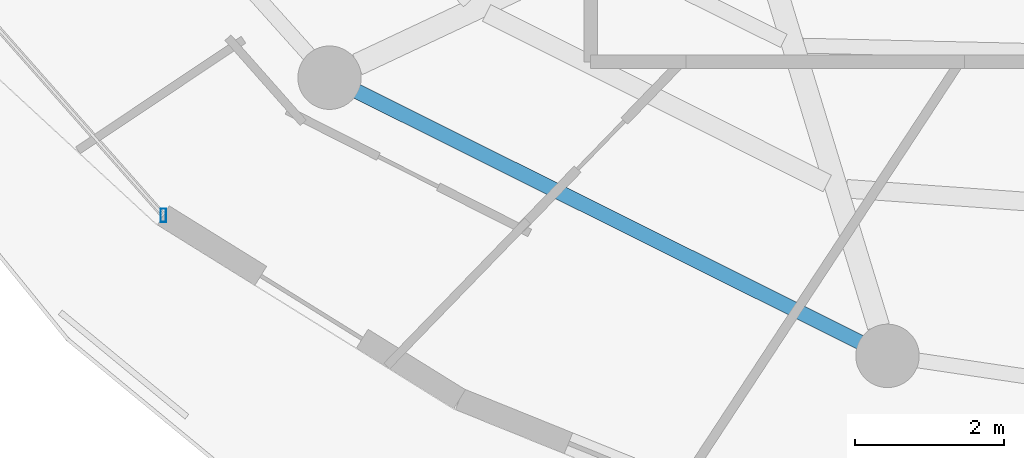
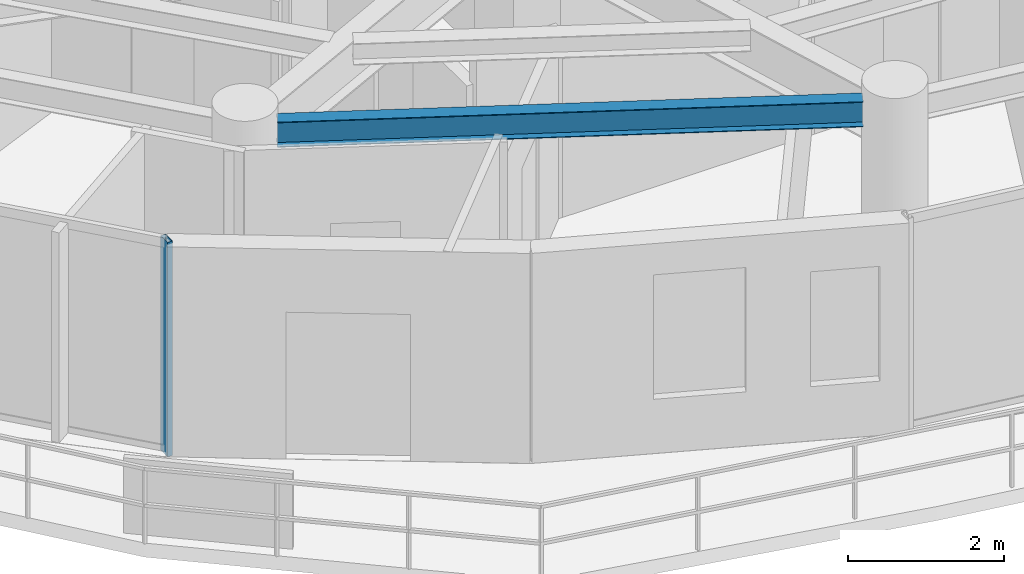
# One storey, part 2 of 32: 1 beam, 1 member, 1 element without a shape of its own.
"""IFC4 building model written with IfcOpenShell, lengths in metres."""

from ifc_helpers import new_model, si_unit, direction, frame, origin, origin_2d, place, context, subcontext, project, spatial, hollow_rectangle, i_section, extrude, material, material_profile, profile_set, type_object, element, aggregate, save


model = new_model("IFC4")

# Units and contexts
model_context = context("Model", 3, precision=1e-05, world=origin(), true_north=direction((0.0, 1.0)))
body_context = subcontext(model_context, "Body", "Model", "MODEL_VIEW")
ifc_project = project(units=[si_unit("LENGTHUNIT", "METRE"), si_unit("AREAUNIT", "SQUARE_METRE"), si_unit("VOLUMEUNIT", "CUBIC_METRE"), si_unit("PLANEANGLEUNIT", "RADIAN"), si_unit("MASSUNIT", "GRAM", prefix="KILO")], contexts=[model_context])

# Site, building, storey
site_placement = place(None, origin())
site = spatial("IfcSite", under=ifc_project, at=site_placement, CompositionType="ELEMENT")
building_placement = place(site_placement, origin())
building = spatial("IfcBuilding", under=site, at=building_placement, Name="Vorneva Point Tower", CompositionType="ELEMENT")
storey_placement = place(building_placement, frame((0.0, 0.0, 269.75)))
storey = spatial("IfcBuildingStorey", under=building, at=storey_placement, Name="L73", CompositionType="ELEMENT", Elevation=269.75)

# Beam
ifc_material_1 = material(Name="Steel S355", Category="steel")
ifc_material_profile_1 = material_profile(ifc_material_1, i_section(OverallWidth=0.198974609375, OverallDepth=0.39599609375, WebThickness=0.007080078125, FlangeThickness=0.010986328125, at=origin_2d()), Name="40B1")
ifc_profile_set_1 = profile_set([ifc_material_profile_1], Name="Steel S355")
beam_type = type_object("IfcBeamType", Name="BM-SPN-40B1", PredefinedType="SPANDREL", material=ifc_profile_set_1)
beam_placement = place(storey_placement, frame((22.068115234375, 13.65478515625, 3.092041015625), z_axis=(0.894932011528, -0.446202526599, 0.0), x_axis=(0.446202526599, 0.894932011528, 0.0)))
element("IfcBeam", 1, at=beam_placement, inside=storey, type_object=beam_type, Name="L73 Perimeter Spandrel Ring Beam 11", PredefinedType="SPANDREL", context=body_context, shape_type="SweptSolid", body=[
    extrude(i_section(OverallWidth=0.198974609375, OverallDepth=0.39599609375, WebThickness=0.007080078125, FlangeThickness=0.010986328125, at=origin_2d()), origin(), (0.0, 0.0, 1.0), 7.535888671875),
])

# Curtain wall, member
ifc_material_2 = material(Name="Pale anodised aluminium", Category="aluminium")
curtain_wall_type = type_object("IfcCurtainWallType", Name="CW-RES-SYS", PredefinedType="NOTDEFINED", material=ifc_material_2)
curtain_wall_placement = place(storey_placement, origin())
curtain_wall = element("IfcCurtainWall", 2, at=curtain_wall_placement, inside=storey, type_object=curtain_wall_type, Name="L73 Unitised Curtain Wall CW-L73-R03", PredefinedType="NOTDEFINED")
ifc_material_profile_2 = material_profile(ifc_material_2, hollow_rectangle(XDim=0.074951171875, YDim=0.179931640625, WallThickness=0.00390625, at=origin_2d()), Name="AL-MUL 180x75x4")
ifc_profile_set_2 = profile_set([ifc_material_profile_2], Name="Pale anodised aluminium")
member_type = type_object("IfcMemberType", Name="CW-MUL-180", PredefinedType="MULLION", material=ifc_profile_set_2)
member_placement = place(storey_placement, frame((19.473876953125, 11.9921875, -0.0400390625), z_axis=(0.0, 0.0, 1.0), x_axis=(1.0, 0.0, 0.0)))
member = element("IfcMember", 3, at=member_placement, type_object=member_type, Name="CW-L73-R03 Mullion 05", PredefinedType="MULLION", context=body_context, shape_type="SweptSolid", body=[
    extrude(hollow_rectangle(XDim=0.074951171875, YDim=0.179931640625, WallThickness=0.00390625, at=origin_2d()), origin(), (0.0, 0.0, 1.0), 3.360107421875),
])
aggregate(curtain_wall, [member])

save(model, "model.ifc")
